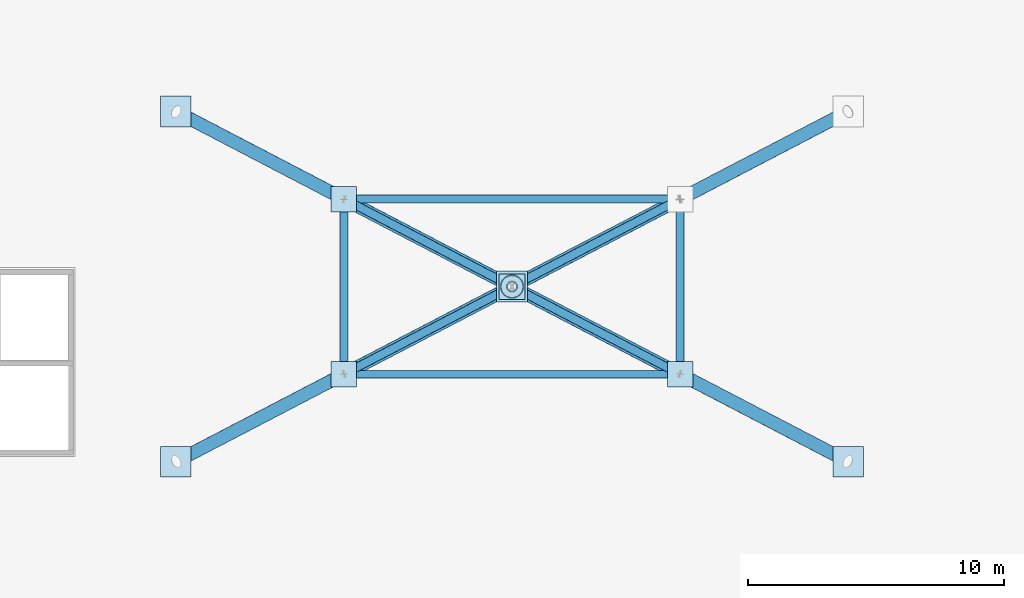
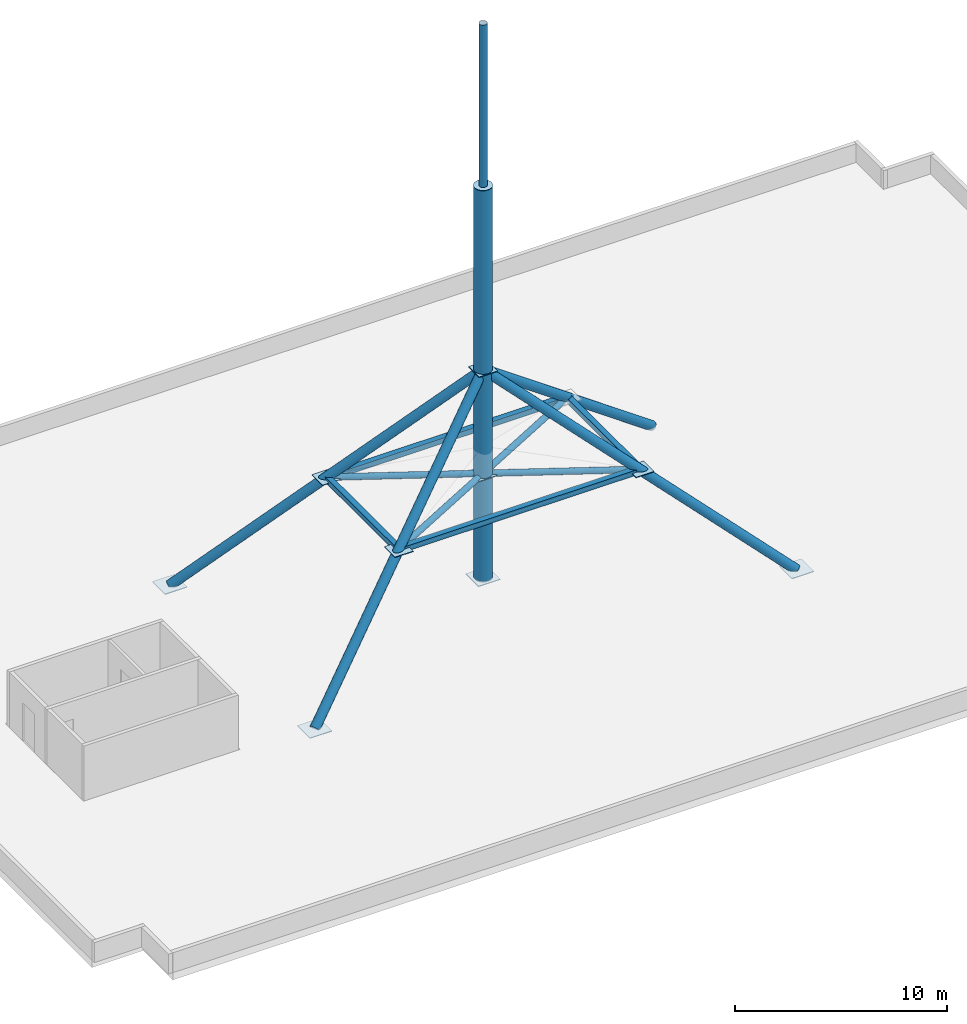
# One storey, part 1 of 8: 13 members, 10 plates, 1 column.
"""IFC4 building model written with IfcOpenShell, lengths in metres."""

from ifc_helpers import new_model, si_unit, direction, frame, origin, origin_2d, place, context, subcontext, project, spatial, rectangle, hollow_rectangle, circle, hollow_circle, extrude, material, layer, layer_set, material_profile, profile_set, type_object, element, save


model = new_model("IFC4")

# Units and contexts
model_context = context("Model", 3, precision=1e-05, world=origin(), true_north=direction((0.0, 1.0)))
body_context = subcontext(model_context, "Body", "Model", "MODEL_VIEW")
ifc_project = project(units=[si_unit("LENGTHUNIT", "METRE"), si_unit("AREAUNIT", "SQUARE_METRE"), si_unit("VOLUMEUNIT", "CUBIC_METRE"), si_unit("PLANEANGLEUNIT", "RADIAN"), si_unit("MASSUNIT", "GRAM", prefix="KILO")], contexts=[model_context])

# Site, building, storey
site_placement = place(None, origin())
site = spatial("IfcSite", under=ifc_project, at=site_placement, CompositionType="ELEMENT")
building_placement = place(site_placement, origin())
building = spatial("IfcBuilding", under=site, at=building_placement, Name="Putna Gate Headquarters", CompositionType="ELEMENT")
storey_placement = place(building_placement, frame((0.0, 0.0, 320.39990234375)))
storey = spatial("IfcBuildingStorey", under=building, at=storey_placement, Name="RF", CompositionType="ELEMENT", Elevation=320.39990234375)

# Column
ifc_material = material(Name="Steel S460M", Category="steel")
ifc_material_profile_1 = material_profile(ifc_material, hollow_circle(Radius=0.45703125, WallThickness=0.031982421875, at=origin_2d()), Name="Steel S460M")
ifc_profile_set_1 = profile_set([ifc_material_profile_1], Name="Steel S460M")
column_type = type_object("IfcColumnType", Name="COL-SPIRE-MAST1-CHS914", PredefinedType="COLUMN", material=ifc_profile_set_1)
column_placement = place(storey_placement, frame((39.0, 26.0, 0.0), z_axis=(0.0, 0.0, 1.0), x_axis=(1.0, 0.0, 0.0)))
element("IfcColumn", 1, at=column_placement, inside=storey, type_object=column_type, Name="Needle Spire Primary Mast Column SP-1", PredefinedType="COLUMN", context=body_context, shape_type="SweptSolid", body=[
    extrude(hollow_circle(Radius=0.45703125, WallThickness=0.031982421875, at=origin_2d()), origin(), (0.0, 0.0, 1.0), 22.60009765625),
])

# Members
ifc_material_profile_2 = material_profile(ifc_material, hollow_circle(Radius=0.161865234375, WallThickness=0.01611328125, at=origin_2d()), Name="Steel S460M")
ifc_profile_set_2 = profile_set([ifc_material_profile_2], Name="Steel S460M")
member_type_1 = type_object("IfcMemberType", Name="MEM-SPIRE-DIAG-CHS324", PredefinedType="BRACE", material=ifc_profile_set_2)
for number, where, z_axis, x_axis, name in (
    (2, (32.442626953125, 22.584228515625, 5.987548828125), (0.88688751774, 0.461985422797, 0.0), (-0.461985422797, 0.88688751774, 0.0), "Needle Spire Radial Brace SD-1 1"),
    (3, (32.442626953125, 29.415771484375, 5.987548828125), (0.88688751774, -0.461985422797, 0.0), (0.461985422797, 0.88688751774, 0.0), "Needle Spire Radial Brace SD-1 2"),
    (4, (45.557373046875, 29.415771484375, 5.987548828125), (-0.88688751774, -0.461985422797, 0.0), (0.461985422797, -0.88688751774, 0.0), "Needle Spire Radial Brace SD-1 3"),
    (5, (45.557373046875, 22.584228515625, 5.987548828125), (-0.88688751774, 0.461985422797, 0.0), (-0.461985422797, -0.88688751774, 0.0), "Needle Spire Radial Brace SD-1 4"),
):
    element("IfcMember", number, at=place(storey_placement, frame(where, z_axis=z_axis, x_axis=x_axis)), inside=storey, type_object=member_type_1, Name=name, PredefinedType="BRACE", context=body_context, shape_type="SweptSolid", body=[
        extrude(hollow_circle(Radius=0.161865234375, WallThickness=0.01611328125, at=origin_2d()), origin(), (0.0, 0.0, 1.0), 7.37353515625),
    ])
ifc_material_profile_3 = material_profile(ifc_material, hollow_circle(Radius=0.25390625, WallThickness=0.02490234375, at=origin_2d()), Name="Steel S460M")
ifc_profile_set_3 = profile_set([ifc_material_profile_3], Name="Steel S460M")
member_type_2 = type_object("IfcMemberType", Name="MEM-SPIRE-LEG-CHS508", PredefinedType="STRUT", material=ifc_profile_set_3)
for number, where, z_axis, x_axis, name in (
    (6, (25.86376953125, 19.1572265625, -0.002197265625), (0.689285374613, 0.359056766582, 0.62925663343), (-0.461989039306, 0.886885633868, 0.0), "Needle Spire Raking Leg SL-1 SW"),
    (7, (25.86376953125, 32.8427734375, -0.002197265625), (0.689285374613, -0.359056766582, 0.62925663343), (0.461989039306, 0.886885633868, 0.0), "Needle Spire Raking Leg SL-1 NW"),
    (8, (52.13623046875, 19.1572265625, -0.002197265625), (-0.689285374613, 0.359056766582, 0.62925663343), (-0.461989039306, -0.886885633868, 0.0), "Needle Spire Raking Leg SL-1 SE"),
    (9, (52.13623046875, 32.8427734375, -0.002197265625), (-0.689285374613, -0.359056766582, 0.62925663343), (0.461989039306, -0.886885633868, 0.0), "Needle Spire Raking Leg SL-1 NE"),
):
    element("IfcMember", number, at=place(storey_placement, frame(where, z_axis=z_axis, x_axis=x_axis)), inside=storey, type_object=member_type_2, Name=name, PredefinedType="STRUT", context=body_context, shape_type="SweptSolid", body=[
        extrude(hollow_circle(Radius=0.25390625, WallThickness=0.02490234375, at=origin_2d()), origin(), (0.0, 0.0, 1.0), 19.037841796875),
    ])
ifc_material_profile_4 = material_profile(ifc_material, hollow_circle(Radius=0.203125, WallThickness=0.02001953125, at=origin_2d()), Name="Steel S460M")
ifc_profile_set_4 = profile_set([ifc_material_profile_4], Name="Steel S460M")
member_type_3 = type_object("IfcMemberType", Name="MEM-SPIRE-MAST3-CHS406", PredefinedType="CHORD", material=ifc_profile_set_4)
member_1_placement = place(storey_placement, frame((39.0, 26.0, 22.60498046875), z_axis=(0.0, 0.0, 1.0), x_axis=(1.0, 0.0, 0.0)))
element("IfcMember", 10, at=member_1_placement, inside=storey, type_object=member_type_3, Name="Needle Spire Finial Mast SP-3", PredefinedType="CHORD", context=body_context, shape_type="SweptSolid", body=[
    extrude(hollow_circle(Radius=0.203125, WallThickness=0.02001953125, at=origin_2d()), origin(), (0.0, 0.0, 1.0), 9.375),
])
ifc_material_profile_5 = material_profile(ifc_material, hollow_rectangle(XDim=0.300048828125, YDim=0.300048828125, WallThickness=0.01611328125, at=origin_2d()), Name="Steel S460M")
ifc_profile_set_5 = profile_set([ifc_material_profile_5], Name="Steel S460M")
member_type_4 = type_object("IfcMemberType", Name="MEM-SPIRE-RING-SHS300", PredefinedType="CHORD", material=ifc_profile_set_5)
member_2_placement = place(storey_placement, frame((32.425048828125, 22.594970703125, 5.987548828125), z_axis=(0.0, 1.0, 0.0), x_axis=(-1.0, 0.0, 0.0)))
element("IfcMember", 11, at=member_2_placement, inside=storey, type_object=member_type_4, Name="Needle Spire Mid Ring Chord SR-1 1", PredefinedType="CHORD", context=body_context, shape_type="SweptSolid", body=[
    extrude(hollow_rectangle(XDim=0.300048828125, YDim=0.300048828125, WallThickness=0.01611328125, at=origin_2d()), origin(), (0.0, 0.0, 1.0), 6.81005859375),
])
member_3_placement = place(storey_placement, frame((32.445068359375, 29.425048828125, 5.987548828125), z_axis=(1.0, 0.0, 0.0), x_axis=(0.0, 1.0, 0.0)))
element("IfcMember", 12, at=member_3_placement, inside=storey, type_object=member_type_4, Name="Needle Spire Mid Ring Chord SR-1 2", PredefinedType="CHORD", context=body_context, shape_type="SweptSolid", body=[
    extrude(hollow_rectangle(XDim=0.300048828125, YDim=0.300048828125, WallThickness=0.01611328125, at=origin_2d()), origin(), (0.0, 0.0, 1.0), 13.10986328125),
])
member_4_placement = place(storey_placement, frame((45.574951171875, 29.405029296875, 5.987548828125), z_axis=(0.0, -1.0, 0.0), x_axis=(1.0, 0.0, 0.0)))
element("IfcMember", 13, at=member_4_placement, inside=storey, type_object=member_type_4, Name="Needle Spire Mid Ring Chord SR-1 3", PredefinedType="CHORD", context=body_context, shape_type="SweptSolid", body=[
    extrude(hollow_rectangle(XDim=0.300048828125, YDim=0.300048828125, WallThickness=0.01611328125, at=origin_2d()), origin(), (0.0, 0.0, 1.0), 6.81005859375),
])
member_5_placement = place(storey_placement, frame((45.554931640625, 22.574951171875, 5.987548828125), z_axis=(-1.0, 0.0, 0.0), x_axis=(0.0, -1.0, 0.0)))
element("IfcMember", 14, at=member_5_placement, inside=storey, type_object=member_type_4, Name="Needle Spire Mid Ring Chord SR-1 4", PredefinedType="CHORD", context=body_context, shape_type="SweptSolid", body=[
    extrude(hollow_rectangle(XDim=0.300048828125, YDim=0.300048828125, WallThickness=0.01611328125, at=origin_2d()), origin(), (0.0, 0.0, 1.0), 13.10986328125),
])

# Plates
ifc_layer_1 = layer(ifc_material, 0.02001953125)
ifc_layer_set_1 = layer_set([ifc_layer_1], Name="Steel S460M")
plate_type_1 = type_object("IfcPlateType", Name="PLT-CAP-EC-C914", PredefinedType="SHEET", material=ifc_layer_set_1)
plate_placement = place(storey_placement, frame((39.0, 26.0, 22.60009765625), z_axis=(0.0, 0.0, 1.0), x_axis=(1.0, 0.0, 0.0)))
element("IfcPlate", 15, at=plate_placement, inside=storey, type_object=plate_type_1, Name="Needle Spire Primary Mast Top Cap Plate", PredefinedType="SHEET", context=body_context, shape_type="SweptSolid", body=[
    extrude(circle(Radius=0.45703125, at=origin_2d()), origin(), (0.0, 0.0, 1.0), 0.02001953125),
])
ifc_layer_2 = layer(ifc_material, 0.0400390625)
ifc_layer_set_2 = layer_set([ifc_layer_2], Name="Steel S460M")
plate_type_2 = type_object("IfcPlateType", Name="PLT-SPIRE-BASE-SN1", PredefinedType="SHEET", material=ifc_layer_set_2)
for number, where, z_axis, x_axis, name in (
    (16, (39.0, 26.0, 0.0), (0.0, 0.0, 1.0), (1.0, 0.0, 0.0), "Needle Spire Central Mast Base Plate SN1"),
    (17, (25.85009765625, 19.14990234375, 0.0), (0.0, 0.0, 1.0), (1.0, 0.0, 0.0), "Needle Spire Leg SW Base Anchorage Plate SN1"),
    (18, (25.85009765625, 32.85009765625, 0.0), (0.0, 0.0, 1.0), (1.0, 0.0, 0.0), "Needle Spire Leg NW Base Anchorage Plate SN1"),
    (19, (52.14990234375, 19.14990234375, 0.0), (0.0, 0.0, 1.0), (1.0, 0.0, 0.0), "Needle Spire Leg SE Base Anchorage Plate SN1"),
):
    element("IfcPlate", number, at=place(storey_placement, frame(where, z_axis=z_axis, x_axis=x_axis)), inside=storey, type_object=plate_type_2, Name=name, PredefinedType="SHEET", context=body_context, shape_type="SweptSolid", body=[
        extrude(rectangle(XDim=1.199951171875, YDim=1.199951171875, at=origin_2d()), origin(), (0.0, 0.0, 1.0), 0.0400390625),
    ])
ifc_layer_3 = layer(ifc_material, 0.0380859375)
ifc_layer_set_3 = layer_set([ifc_layer_3], Name="Steel S460M")
plate_type_3 = type_object("IfcPlateType", Name="PLT-SPIRE-COLLAR-SN2", PredefinedType="SHEET", material=ifc_layer_set_3)
for number, where, z_axis, x_axis, name in (
    (20, (39.0, 26.0, 11.98095703125), (0.0, 0.0, 1.0), (1.0, 0.0, 0.0), "Needle Spire Upper Collar Plate SN2"),
    (21, (39.0, 26.0, 5.968505859375), (0.0, 0.0, 1.0), (1.0, 0.0, 0.0), "Needle Spire Mid Ring Mast Gusset Plate SN2"),
    (22, (32.425048828125, 22.574951171875, 5.968505859375), (0.0, 0.0, 1.0), (1.0, 0.0, 0.0), "Needle Spire Mid Ring Corner Node Plate SN2 1"),
    (23, (32.425048828125, 29.425048828125, 5.968505859375), (0.0, 0.0, 1.0), (1.0, 0.0, 0.0), "Needle Spire Mid Ring Corner Node Plate SN2 2"),
    (24, (45.574951171875, 22.574951171875, 5.968505859375), (0.0, 0.0, 1.0), (1.0, 0.0, 0.0), "Needle Spire Mid Ring Corner Node Plate SN2 4"),
):
    element("IfcPlate", number, at=place(storey_placement, frame(where, z_axis=z_axis, x_axis=x_axis)), inside=storey, type_object=plate_type_3, Name=name, PredefinedType="SHEET", context=body_context, shape_type="SweptSolid", body=[
        extrude(rectangle(XDim=1.0, YDim=1.0, at=origin_2d()), origin(), (0.0, 0.0, 1.0), 0.0380859375),
    ])

save(model, "model.ifc")
